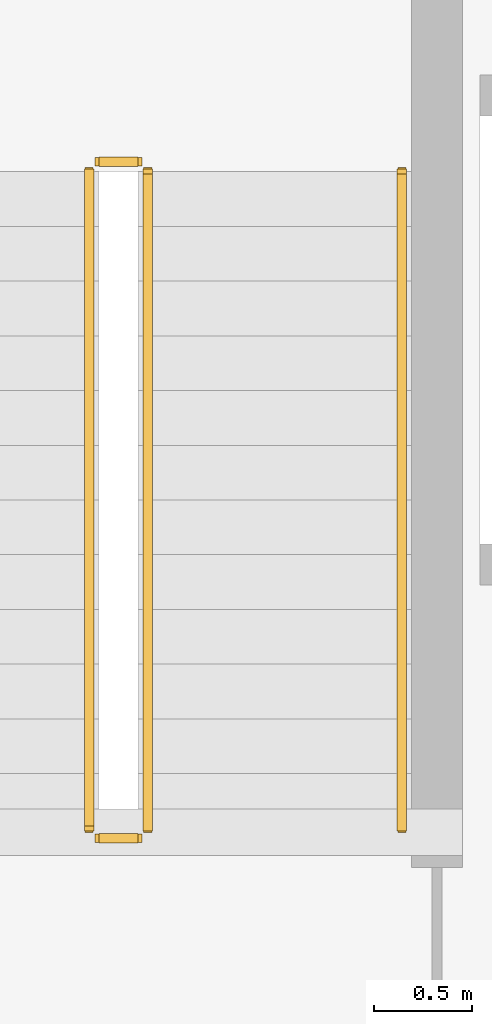
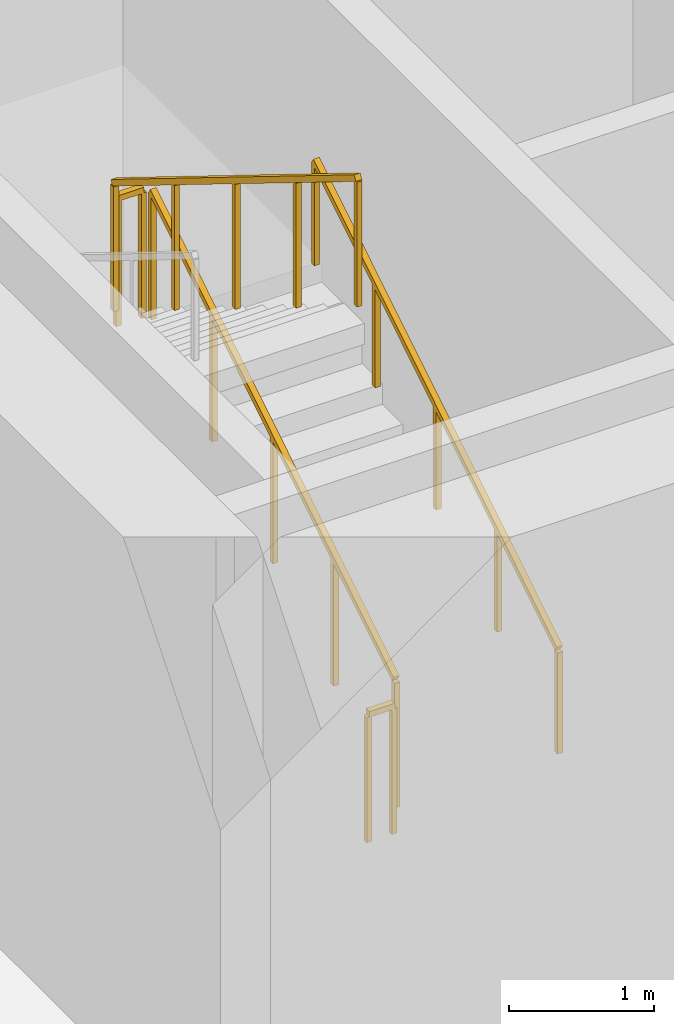
# One storey, part 19 of 23: 5 railings.
"""IFC4 building model written with IfcOpenShell, lengths in metres."""

from ifc_helpers import new_model, si_unit, direction, frame, origin, origin_2d, place, context, subcontext, project, spatial, rectangle, extrude, material, type_object, element, save


model = new_model("IFC4")

# Units and contexts
model_context = context("Model", 3, precision=1e-05, world=origin(), true_north=direction((0.0, 1.0)))
body_context = subcontext(model_context, "Body", "Model", "MODEL_VIEW")
ifc_project = project(units=[si_unit("LENGTHUNIT", "METRE"), si_unit("AREAUNIT", "SQUARE_METRE"), si_unit("VOLUMEUNIT", "CUBIC_METRE"), si_unit("PLANEANGLEUNIT", "RADIAN"), si_unit("MASSUNIT", "GRAM", prefix="KILO")], contexts=[model_context])

# Site, building, storey
site_placement = place(None, origin())
site = spatial("IfcSite", under=ifc_project, at=site_placement, CompositionType="ELEMENT")
building_placement = place(site_placement, origin())
building = spatial("IfcBuilding", under=site, at=building_placement, Name="Kiyonajd Concourse Tower", CompositionType="ELEMENT")
storey_placement = place(building_placement, frame((0.0, 0.0, 120.89990234375)))
storey = spatial("IfcBuildingStorey", under=building, at=storey_placement, Name="L31", CompositionType="ELEMENT", Elevation=120.89990234375)

# Railings
ifc_material_1 = material(Name="Steel ASTM A500 Grade C", Category="steel")
railing_type_1 = type_object("IfcRailingType", Name="RL-GRD-STR", PredefinedType="GUARDRAIL", material=ifc_material_1)
railing_1_placement = place(storey_placement, frame((35.5, 30.550048828125, 0.173095703125)))
element("IfcRailing", 1, at=railing_1_placement, inside=storey, type_object=railing_type_1, Name="L31 ST1 stair guard 1", PredefinedType="GUARDRAIL", context=body_context, shape_type="SweptSolid", body=[
    extrude(rectangle(XDim=0.048095703125, YDim=0.048095703125, at=origin_2d()), frame((0.0, 0.0, 1.076171875), z_axis=(0.0, 0.850606129759, 0.525803396734), x_axis=(-1.0, 0.0, 0.0)), (0.0, 0.0, 1.0), 3.949951171875),
    extrude(rectangle(XDim=0.0419921875, YDim=0.0419921875, at=origin_2d()), origin(), (0.0, 0.0, 1.0), 1.052001953125),
    extrude(rectangle(XDim=0.0419921875, YDim=0.0419921875, at=origin_2d()), frame((0.0, 0.83984375, 0.519287109375)), (0.0, 0.0, 1.0), 1.052001953125),
    extrude(rectangle(XDim=0.0419921875, YDim=0.0419921875, at=origin_2d()), frame((0.0, 1.679931640625, 1.03857421875)), (0.0, 0.0, 1.0), 1.052001953125),
    extrude(rectangle(XDim=0.0419921875, YDim=0.0419921875, at=origin_2d()), frame((0.0, 2.52001953125, 1.5576171875)), (0.0, 0.0, 1.0), 1.052001953125),
    extrude(rectangle(XDim=0.0419921875, YDim=0.0419921875, at=origin_2d()), frame((0.0, 3.35986328125, 2.076904296875)), (0.0, 0.0, 1.0), 1.052001953125),
])
railing_2_placement = place(storey_placement, frame((35.449951171875, 33.9599609375, 2.25)))
element("IfcRailing", 2, at=railing_2_placement, inside=storey, type_object=railing_type_1, Name="L31 ST1 stair guard 2", PredefinedType="GUARDRAIL", context=body_context, shape_type="SweptSolid", body=[
    extrude(rectangle(XDim=0.048095703125, YDim=0.048095703125, at=origin_2d()), frame((0.0, 0.0, 1.076171875), z_axis=(-1.0, 0.0, 0.0), x_axis=(0.0, -1.0, 0.0)), (0.0, 0.0, 1.0), 0.199951171875),
    extrude(rectangle(XDim=0.0419921875, YDim=0.0419921875, at=origin_2d()), origin(), (0.0, 0.0, 1.0), 1.052001953125),
    extrude(rectangle(XDim=0.0419921875, YDim=0.0419921875, at=origin_2d()), frame((-0.199951171875, 0.0, 0.0)), (0.0, 0.0, 1.0), 1.052001953125),
])
railing_3_placement = place(storey_placement, frame((35.199951171875, 33.909912109375, 2.423095703125)))
element("IfcRailing", 3, at=railing_3_placement, inside=storey, type_object=railing_type_1, Name="L31 ST1 stair guard 3", PredefinedType="GUARDRAIL", context=body_context, shape_type="SweptSolid", body=[
    extrude(rectangle(XDim=0.048095703125, YDim=0.048095703125, at=origin_2d()), frame((0.0, 0.0, 1.076171875), z_axis=(0.0, -0.850606129759, 0.525803396734), x_axis=(1.0, 0.0, 0.0)), (0.0, 0.0, 1.0), 3.949951171875),
    extrude(rectangle(XDim=0.0419921875, YDim=0.0419921875, at=origin_2d()), origin(), (0.0, 0.0, 1.0), 1.052001953125),
    extrude(rectangle(XDim=0.0419921875, YDim=0.0419921875, at=origin_2d()), frame((0.0, -0.83984375, 0.519287109375)), (0.0, 0.0, 1.0), 1.052001953125),
    extrude(rectangle(XDim=0.0419921875, YDim=0.0419921875, at=origin_2d()), frame((0.0, -1.679931640625, 1.03857421875)), (0.0, 0.0, 1.0), 1.052001953125),
    extrude(rectangle(XDim=0.0419921875, YDim=0.0419921875, at=origin_2d()), frame((0.0, -2.52001953125, 1.5576171875)), (0.0, 0.0, 1.0), 1.052001953125),
    extrude(rectangle(XDim=0.0419921875, YDim=0.0419921875, at=origin_2d()), frame((0.0, -3.35986328125, 2.076904296875)), (0.0, 0.0, 1.0), 1.052001953125),
])
railing_4_placement = place(storey_placement, frame((35.449951171875, 30.5, 0.0)))
element("IfcRailing", 4, at=railing_4_placement, inside=storey, type_object=railing_type_1, Name="L31 ST1 stair guard 4", PredefinedType="GUARDRAIL", context=body_context, shape_type="SweptSolid", body=[
    extrude(rectangle(XDim=0.048095703125, YDim=0.048095703125, at=origin_2d()), frame((0.0, 0.0, 1.076171875), z_axis=(-1.0, 0.0, 0.0), x_axis=(0.0, -1.0, 0.0)), (0.0, 0.0, 1.0), 0.199951171875),
    extrude(rectangle(XDim=0.0419921875, YDim=0.0419921875, at=origin_2d()), origin(), (0.0, 0.0, 1.0), 1.052001953125),
    extrude(rectangle(XDim=0.0419921875, YDim=0.0419921875, at=origin_2d()), frame((-0.199951171875, 0.0, 0.0)), (0.0, 0.0, 1.0), 1.052001953125),
])
ifc_material_2 = material(Name="Brushed Stainless Steel Cab Assembly", Category="steel")
railing_type_2 = type_object("IfcRailingType", Name="RL-HND-900", PredefinedType="HANDRAIL", material=ifc_material_2)
railing_5_placement = place(storey_placement, frame((36.800048828125, 30.550048828125, 0.173095703125)))
element("IfcRailing", 5, at=railing_5_placement, inside=storey, type_object=railing_type_2, Name="L31 ST1 stair handrail 1", PredefinedType="HANDRAIL", context=body_context, shape_type="SweptSolid", body=[
    extrude(rectangle(XDim=0.048095703125, YDim=0.048095703125, at=origin_2d()), frame((0.0, 0.0, 0.8759765625), z_axis=(0.0, 0.850606129759, 0.525803396734), x_axis=(-1.0, 0.0, 0.0)), (0.0, 0.0, 1.0), 3.949951171875),
    extrude(rectangle(XDim=0.0419921875, YDim=0.0419921875, at=origin_2d()), origin(), (0.0, 0.0, 1.0), 0.851806640625),
    extrude(rectangle(XDim=0.0419921875, YDim=0.0419921875, at=origin_2d()), frame((0.0, 0.83984375, 0.519287109375)), (0.0, 0.0, 1.0), 0.851806640625),
    extrude(rectangle(XDim=0.0419921875, YDim=0.0419921875, at=origin_2d()), frame((0.0, 1.679931640625, 1.03857421875)), (0.0, 0.0, 1.0), 0.851806640625),
    extrude(rectangle(XDim=0.0419921875, YDim=0.0419921875, at=origin_2d()), frame((0.0, 2.52001953125, 1.5576171875)), (0.0, 0.0, 1.0), 0.851806640625),
    extrude(rectangle(XDim=0.0419921875, YDim=0.0419921875, at=origin_2d()), frame((0.0, 3.35986328125, 2.076904296875)), (0.0, 0.0, 1.0), 0.851806640625),
])

save(model, "model.ifc")
